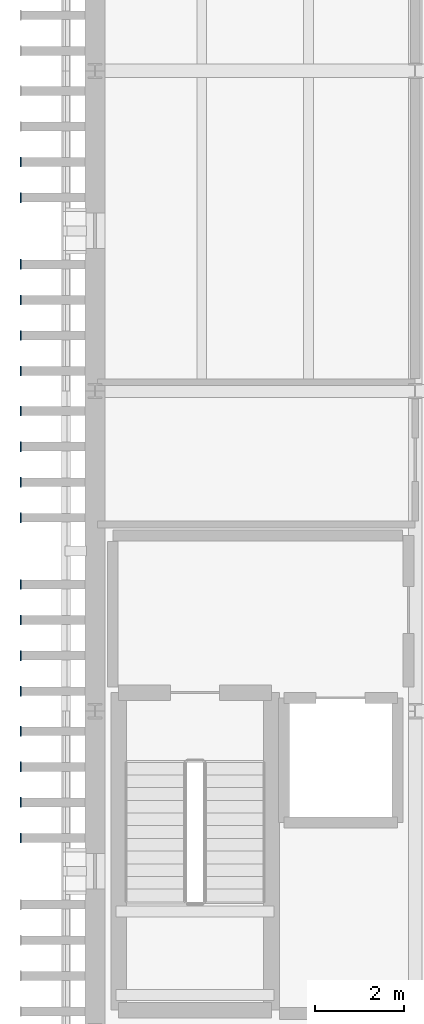
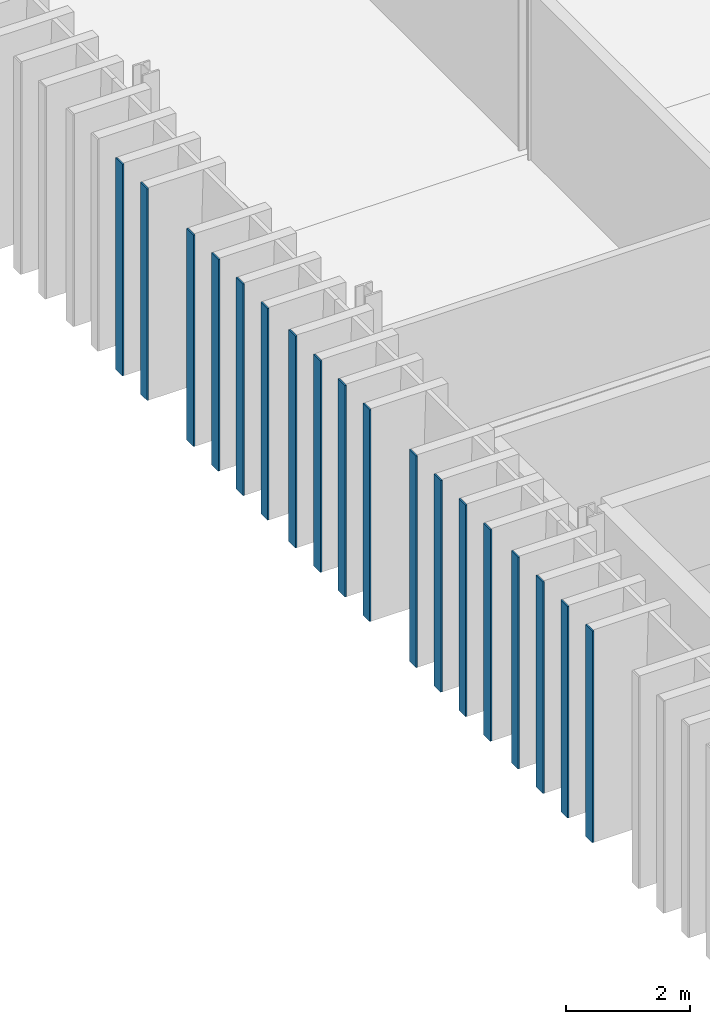
# One storey, part 47 of 115: 18 plates.
"""IFC4 building model written with IfcOpenShell, lengths in metres."""

from ifc_helpers import new_model, si_unit, direction, frame, origin, origin_2d, place, context, subcontext, project, spatial, rectangle, extrude, material, layer, layer_set, type_object, element, save


model = new_model("IFC4")

# Units and contexts
model_context = context("Model", 3, precision=1e-05, world=origin(), true_north=direction((0.0, 1.0)))
body_context = subcontext(model_context, "Body", "Model", "MODEL_VIEW")
ifc_project = project(units=[si_unit("LENGTHUNIT", "METRE"), si_unit("AREAUNIT", "SQUARE_METRE"), si_unit("VOLUMEUNIT", "CUBIC_METRE"), si_unit("PLANEANGLEUNIT", "RADIAN"), si_unit("MASSUNIT", "GRAM", prefix="KILO")], contexts=[model_context])

# Site, building, storey
site_placement = place(None, origin())
site = spatial("IfcSite", under=ifc_project, at=site_placement, CompositionType="ELEMENT")
building_placement = place(site_placement, origin())
building = spatial("IfcBuilding", under=site, at=building_placement, Name="Narikvali Park Central Library", CompositionType="ELEMENT")
storey_placement = place(building_placement, frame((0.0, 0.0, 10.199951171875)))
storey = spatial("IfcBuildingStorey", under=building, at=storey_placement, Name="L02", CompositionType="ELEMENT", Elevation=10.199951171875)

# Plates
ifc_material = material(Name="Anodised Bronze Aluminium", Category="aluminium")
ifc_layer = layer(ifc_material, 0.028076171875, Name="Anodised Bronze Aluminium")
ifc_layer_set = layer_set([ifc_layer], Name="Anodised Bronze Aluminium")
plate_type = type_object("IfcPlateType", Name="Vertical Brick Fin Bronze Bullnose Cap 28", PredefinedType="SHEET", material=ifc_layer_set)
for number, where, z_axis, x_axis, name in (
    (1, (-1.672119140625, 47.550048828125, 0.01025390625), (0.0, 0.0, 1.0), (1.0, 0.0, 0.0), "West Stacks Fin Bullnose Trim 099"),
    (2, (-1.672119140625, 48.35009765625, 0.01025390625), (0.0, 0.0, 1.0), (1.0, 0.0, 0.0), "West Stacks Fin Bullnose Trim 105"),
    (3, (-1.672119140625, 49.14990234375, 0.01025390625), (0.0, 0.0, 1.0), (1.0, 0.0, 0.0), "West Stacks Fin Bullnose Trim 111"),
    (4, (-1.672119140625, 49.949951171875, 0.01025390625), (0.0, 0.0, 1.0), (1.0, 0.0, 0.0), "West Stacks Fin Bullnose Trim 117"),
    (5, (-1.672119140625, 50.85009765625, 0.01025390625), (0.0, 0.0, 1.0), (1.0, 0.0, 0.0), "West Stacks Fin Bullnose Trim 123"),
    (6, (-1.672119140625, 51.64990234375, 0.01025390625), (0.0, 0.0, 1.0), (1.0, 0.0, 0.0), "West Stacks Fin Bullnose Trim 129"),
    (7, (-1.672119140625, 52.449951171875, 0.01025390625), (0.0, 0.0, 1.0), (1.0, 0.0, 0.0), "West Stacks Fin Bullnose Trim 135"),
    (8, (-1.672119140625, 53.25, 0.01025390625), (0.0, 0.0, 1.0), (1.0, 0.0, 0.0), "West Stacks Fin Bullnose Trim 141"),
    (9, (-1.672119140625, 54.75, 0.01025390625), (0.0, 0.0, 1.0), (1.0, 0.0, 0.0), "West Stacks Fin Bullnose Trim 147"),
    (10, (-1.672119140625, 55.550048828125, 0.01025390625), (0.0, 0.0, 1.0), (1.0, 0.0, 0.0), "West Stacks Fin Bullnose Trim 153"),
    (11, (-1.672119140625, 56.35009765625, 0.01025390625), (0.0, 0.0, 1.0), (1.0, 0.0, 0.0), "West Stacks Fin Bullnose Trim 159"),
    (12, (-1.672119140625, 57.14990234375, 0.01025390625), (0.0, 0.0, 1.0), (1.0, 0.0, 0.0), "West Stacks Fin Bullnose Trim 165"),
    (13, (-1.672119140625, 58.050048828125, 0.01025390625), (0.0, 0.0, 1.0), (1.0, 0.0, 0.0), "West Stacks Fin Bullnose Trim 171"),
    (14, (-1.672119140625, 58.85009765625, 0.01025390625), (0.0, 0.0, 1.0), (1.0, 0.0, 0.0), "West Stacks Fin Bullnose Trim 177"),
    (15, (-1.672119140625, 59.64990234375, 0.01025390625), (0.0, 0.0, 1.0), (1.0, 0.0, 0.0), "West Stacks Fin Bullnose Trim 183"),
    (16, (-1.672119140625, 60.449951171875, 0.01025390625), (0.0, 0.0, 1.0), (1.0, 0.0, 0.0), "West Stacks Fin Bullnose Trim 189"),
    (17, (-1.672119140625, 61.949951171875, 0.01025390625), (0.0, 0.0, 1.0), (1.0, 0.0, 0.0), "West Stacks Fin Bullnose Trim 195"),
    (18, (-1.672119140625, 62.75, 0.01025390625), (0.0, 0.0, 1.0), (1.0, 0.0, 0.0), "West Stacks Fin Bullnose Trim 201"),
):
    element("IfcPlate", number, at=place(storey_placement, frame(where, z_axis=z_axis, x_axis=x_axis)), inside=storey, type_object=plate_type, Name=name, PredefinedType="SHEET", context=body_context, shape_type="SweptSolid", body=[
        extrude(rectangle(XDim=0.028076171875, YDim=0.219970703125, at=origin_2d()), origin(), (0.0, 0.0, 1.0), 4.179931640625),
    ])

save(model, "model.ifc")
